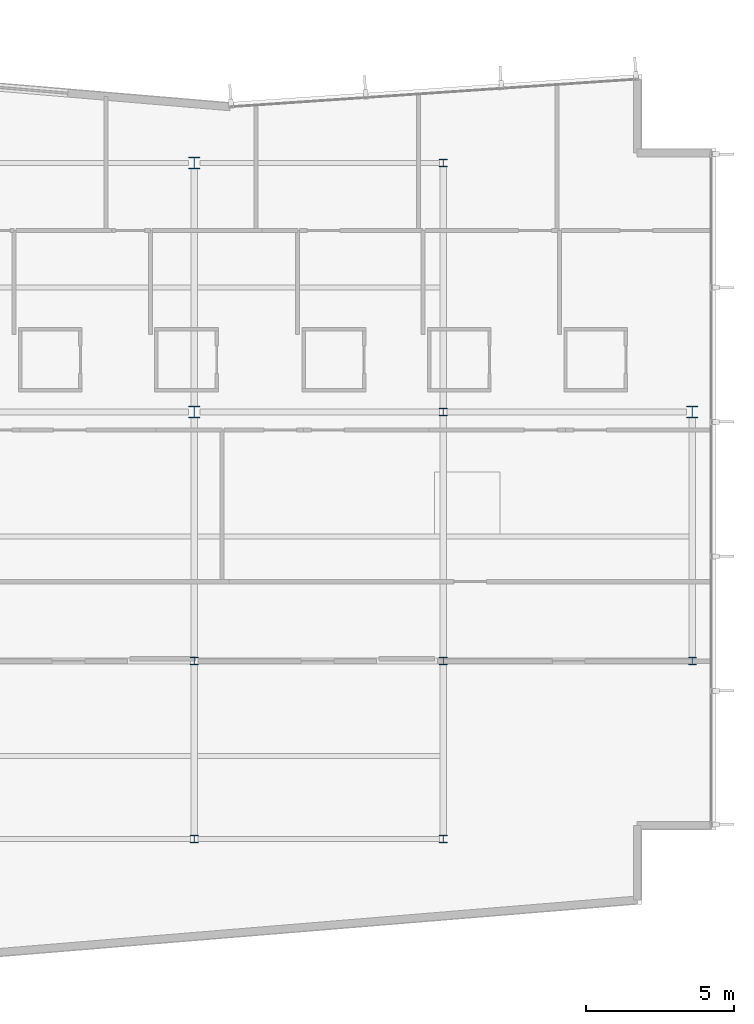
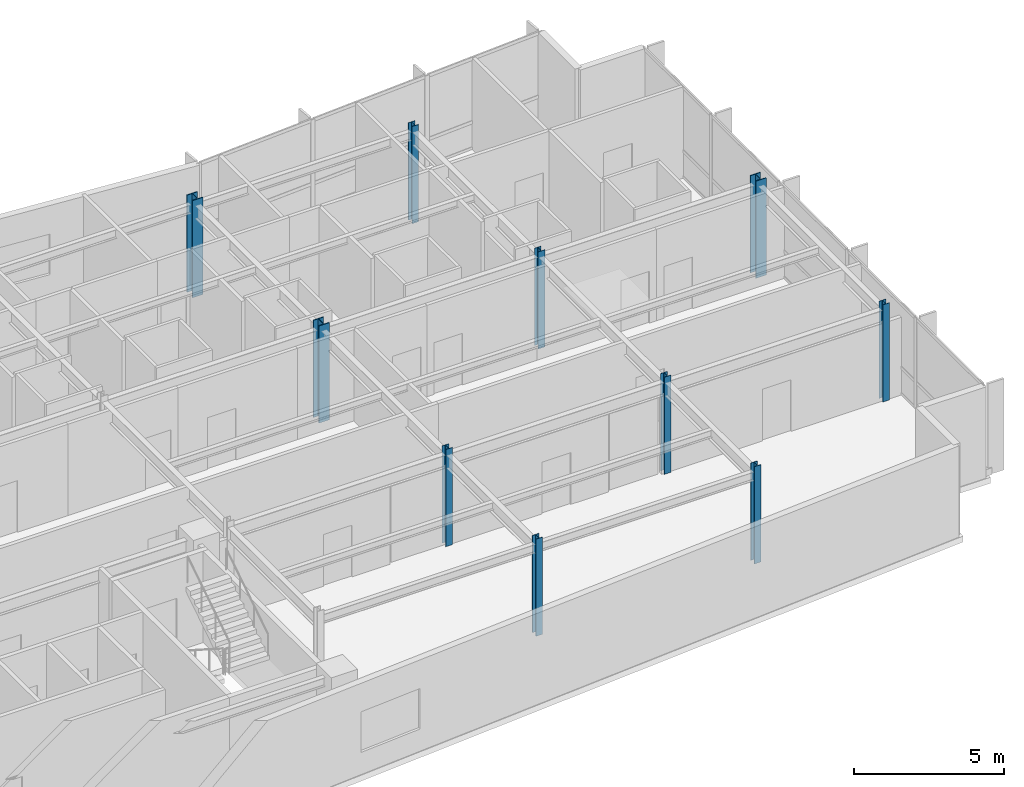
# One storey, part 2 of 16: 10 columns.
"""IFC4 building model written with IfcOpenShell, lengths in metres."""

from ifc_helpers import new_model, si_unit, direction, frame, origin, origin_2d, place, context, subcontext, project, spatial, i_section, extrude, material, material_profile, profile_set, type_object, element, save


model = new_model("IFC4")

# Units and contexts
model_context = context("Model", 3, precision=1e-05, world=origin(), true_north=direction((0.0, 1.0)))
body_context = subcontext(model_context, "Body", "Model", "MODEL_VIEW")
ifc_project = project(units=[si_unit("LENGTHUNIT", "METRE"), si_unit("AREAUNIT", "SQUARE_METRE"), si_unit("VOLUMEUNIT", "CUBIC_METRE"), si_unit("PLANEANGLEUNIT", "RADIAN"), si_unit("MASSUNIT", "GRAM", prefix="KILO")], contexts=[model_context])

# Site, building, storey
site_placement = place(None, origin())
site = spatial("IfcSite", under=ifc_project, at=site_placement, CompositionType="ELEMENT")
building_placement = place(site_placement, origin())
building = spatial("IfcBuilding", under=site, at=building_placement, Name="Varnakote Quay Hospital", CompositionType="ELEMENT")
storey_placement = place(building_placement, frame((0.0, 0.0, 223.699951171875)))
storey = spatial("IfcBuildingStorey", under=building, at=storey_placement, Name="L55", CompositionType="ELEMENT", Elevation=223.699951171875)

# Columns
ifc_material_1 = material(Name="Structural steel AS/NZS 3679.1 Grade 350 L0 (fy 340 MPa)", Category="steel")
ifc_material_profile_1 = material_profile(ifc_material_1, i_section(OverallWidth=0.256103515625, OverallDepth=0.260009765625, WebThickness=0.010498046875, FlangeThickness=0.017333984375, FilletRadius=0.0126953125, at=origin_2d()), Name="250UC89.5")
ifc_profile_set_1 = profile_set([ifc_material_profile_1], Name="Structural steel AS/NZS 3679.1 Grade 350 L0 (fy 340 MPa)")
column_type_1 = type_object("IfcColumnType", Name="COL-STL-250UC89-5", PredefinedType="COLUMN", material=ifc_profile_set_1)
for number, where, z_axis, x_axis, name in (
    (1, (33.60009765625, 6.0, 0.0), (0.0, 0.0, 1.0), (1.0, 0.0, 0.0), "L55 Structural Column C-34-6"),
    (2, (42.0, 6.0, 0.0), (0.0, 0.0, 1.0), (1.0, 0.0, 0.0), "L55 Structural Column C-42-6"),
    (3, (33.60009765625, 12.0, 0.0), (0.0, 0.0, 1.0), (1.0, 0.0, 0.0), "L55 Structural Column C-34-12"),
    (4, (42.0, 12.0, 0.0), (0.0, 0.0, 1.0), (1.0, 0.0, 0.0), "L55 Structural Column C-42-12"),
    (5, (50.39990234375, 12.0, 0.0), (0.0, 0.0, 1.0), (1.0, 0.0, 0.0), "L55 Structural Column C-50-12"),
    (6, (42.0, 20.39990234375, 0.0), (0.0, 0.0, 1.0), (1.0, 0.0, 0.0), "L55 Structural Column C-42-20"),
    (7, (42.0, 28.800048828125, 0.0), (0.0, 0.0, 1.0), (1.0, 0.0, 0.0), "L55 Structural Column C-42-29"),
):
    element("IfcColumn", number, at=place(storey_placement, frame(where, z_axis=z_axis, x_axis=x_axis)), inside=storey, type_object=column_type_1, Name=name, PredefinedType="COLUMN", context=body_context, shape_type="SweptSolid", body=[
        extrude(i_section(OverallWidth=0.256103515625, OverallDepth=0.260009765625, WebThickness=0.010498046875, FlangeThickness=0.017333984375, FilletRadius=0.0126953125, at=origin_2d()), origin(), (0.0, 0.0, 1.0), 3.949951171875),
    ])
ifc_material_2 = material(Name="Structural steel AS/NZS 3678 Grade 350 (fy 340 MPa)", Category="steel")
ifc_material_profile_2 = material_profile(ifc_material_2, i_section(OverallWidth=0.39990234375, OverallDepth=0.404052734375, WebThickness=0.02001953125, FlangeThickness=0.031982421875, at=origin_2d()), Name="400WC270")
ifc_profile_set_2 = profile_set([ifc_material_profile_2], Name="Structural steel AS/NZS 3678 Grade 350 (fy 340 MPa)")
column_type_2 = type_object("IfcColumnType", Name="COL-STL-400WC270", PredefinedType="COLUMN", material=ifc_profile_set_2)
for number, where, z_axis, x_axis, name in (
    (8, (33.60009765625, 20.39990234375, 0.0), (0.0, 0.0, 1.0), (1.0, 0.0, 0.0), "L55 Structural Column C-34-20"),
    (9, (50.39990234375, 20.39990234375, 0.0), (0.0, 0.0, 1.0), (1.0, 0.0, 0.0), "L55 Structural Column C-50-20"),
    (10, (33.60009765625, 28.800048828125, 0.0), (0.0, 0.0, 1.0), (1.0, 0.0, 0.0), "L55 Structural Column C-34-29"),
):
    element("IfcColumn", number, at=place(storey_placement, frame(where, z_axis=z_axis, x_axis=x_axis)), inside=storey, type_object=column_type_2, Name=name, PredefinedType="COLUMN", context=body_context, shape_type="SweptSolid", body=[
        extrude(i_section(OverallWidth=0.39990234375, OverallDepth=0.404052734375, WebThickness=0.02001953125, FlangeThickness=0.031982421875, at=origin_2d()), origin(), (0.0, 0.0, 1.0), 3.949951171875),
    ])

save(model, "model.ifc")
